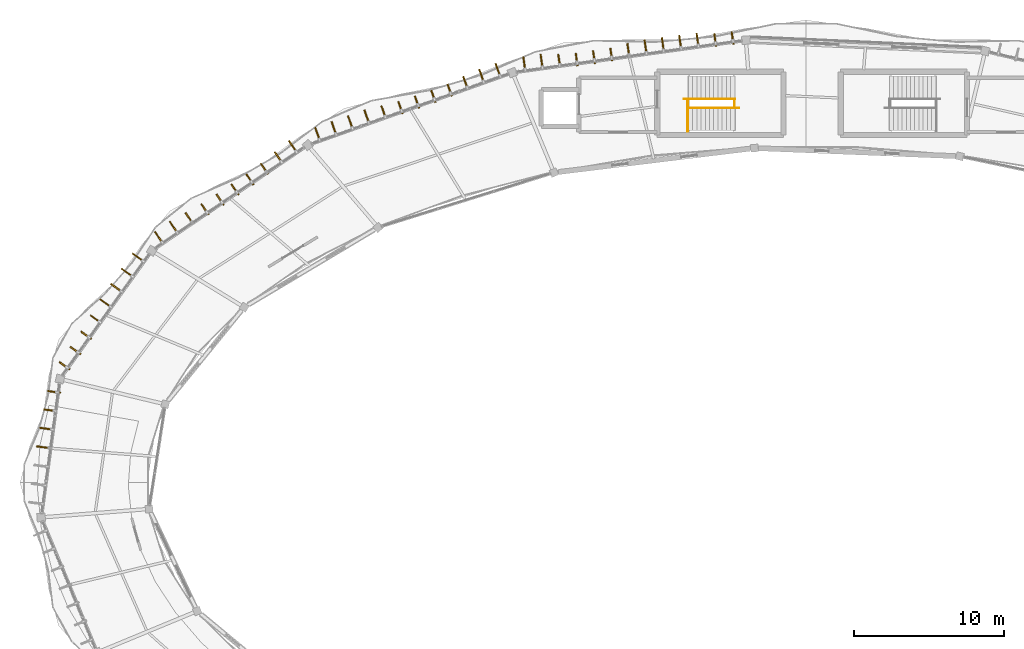
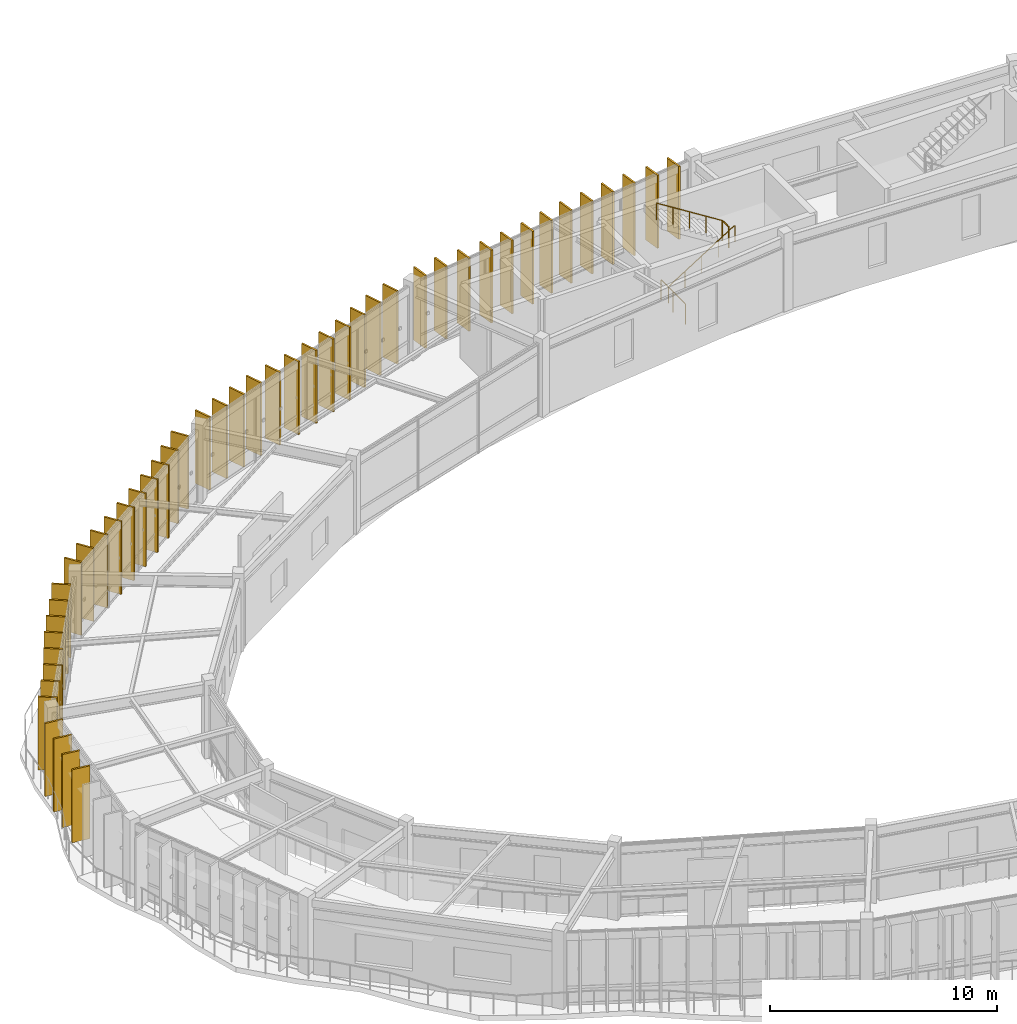
# One storey, part 77 of 79: 47 shading devices, 4 railings.
"""IFC4 building model written with IfcOpenShell, lengths in metres."""

from ifc_helpers import new_model, si_unit, direction, frame, origin, origin_2d, place, context, subcontext, project, spatial, rectangle, circle, extrude, material, type_object, element, save


model = new_model("IFC4")

# Units and contexts
model_context = context("Model", 3, precision=1e-05, world=origin(), true_north=direction((0.0, 1.0)))
body_context = subcontext(model_context, "Body", "Model", "MODEL_VIEW")
ifc_project = project(units=[si_unit("LENGTHUNIT", "METRE"), si_unit("AREAUNIT", "SQUARE_METRE"), si_unit("VOLUMEUNIT", "CUBIC_METRE"), si_unit("PLANEANGLEUNIT", "RADIAN"), si_unit("MASSUNIT", "GRAM", prefix="KILO"), si_unit("THERMODYNAMICTEMPERATUREUNIT", "KELVIN"), si_unit("POWERUNIT", "WATT")], contexts=[model_context])

# Site, building, storey
site_placement = place(None, origin())
site = spatial("IfcSite", under=ifc_project, at=site_placement, CompositionType="ELEMENT")
building_placement = place(site_placement, origin())
building = spatial("IfcBuilding", under=site, at=building_placement, Name="Darbajah Civic Hall", CompositionType="ELEMENT")
storey_placement = place(building_placement, frame((0.0, 0.0, 22.199951171875)))
storey = spatial("IfcBuildingStorey", under=building, at=storey_placement, Name="L05", CompositionType="ELEMENT", Elevation=22.199951171875)

# Railings
ifc_material_1 = material(Name="Brushed Bronze Stainless Steel", Category="steel")
railing_type_1 = type_object("IfcRailingType", Name="Brushed Bronze Handrail", PredefinedType="HANDRAIL", material=ifc_material_1)
railing_1_placement = place(storey_placement, frame((81.280029296875, 114.699951171875, 0.175048828125)))
element("IfcRailing", 1, at=railing_1_placement, inside=storey, type_object=railing_type_1, Name="ST01 L05 lower flight handrail", PredefinedType="HANDRAIL", context=body_context, shape_type="SweptSolid", body=[
    extrude(circle(Radius=0.02392578125, at=origin_2d()), frame((0.023193359375, 0.0, 0.910400390625), z_axis=(0.845926808262, 0.0, 0.533299010935), x_axis=(0.0, 1.0, 0.0)), (0.0, 0.0, 1.0), 3.917236328125),
    extrude(circle(Radius=0.02099609375, at=origin_2d()), origin(), (0.0, 0.0, 1.0), 0.867919921875),
    extrude(circle(Radius=0.02099609375, at=origin_2d()), frame((0.83984375, 0.0, 0.529541015625)), (0.0, 0.0, 1.0), 0.867919921875),
    extrude(circle(Radius=0.02099609375, at=origin_2d()), frame((1.679931640625, 0.0, 1.05908203125)), (0.0, 0.0, 1.0), 0.867919921875),
    extrude(circle(Radius=0.02099609375, at=origin_2d()), frame((2.52001953125, 0.0, 1.588623046875)), (0.0, 0.0, 1.0), 0.867919921875),
    extrude(circle(Radius=0.02099609375, at=origin_2d()), frame((3.35986328125, 0.0, 2.1181640625)), (0.0, 0.0, 1.0), 0.867919921875),
])
railing_2_placement = place(storey_placement, frame((84.360107421875, 115.300048828125, 2.275146484375)))
element("IfcRailing", 2, at=railing_2_placement, inside=storey, type_object=railing_type_1, Name="ST01 L05 upper flight handrail", PredefinedType="HANDRAIL", context=body_context, shape_type="SweptSolid", body=[
    extrude(circle(Radius=0.02392578125, at=origin_2d()), frame((-0.023193359375, 0.0, 0.910400390625), z_axis=(-0.845972016735, 0.0, 0.533227293844), x_axis=(0.0, -1.0, 0.0)), (0.0, 0.0, 1.0), 3.917236328125),
    extrude(circle(Radius=0.02099609375, at=origin_2d()), origin(), (0.0, 0.0, 1.0), 0.867919921875),
    extrude(circle(Radius=0.02099609375, at=origin_2d()), frame((-0.840087890625, 0.0, 0.529541015625)), (0.0, 0.0, 1.0), 0.867919921875),
    extrude(circle(Radius=0.02099609375, at=origin_2d()), frame((-1.68017578125, 0.0, 1.05908203125)), (0.0, 0.0, 1.0), 0.867919921875),
    extrude(circle(Radius=0.02099609375, at=origin_2d()), frame((-2.52001953125, 0.0, 1.58837890625)), (0.0, 0.0, 1.0), 0.867919921875),
    extrude(circle(Radius=0.02099609375, at=origin_2d()), frame((-3.360107421875, 0.0, 2.117919921875)), (0.0, 0.0, 1.0), 0.867919921875),
])
ifc_material_2 = material(Name="Brushed Bronze and Laminated Safety Glass", Category="glass")
railing_type_2 = type_object("IfcRailingType", Name="Interior Guard Balustrade", PredefinedType="BALUSTRADE", material=ifc_material_2)
railing_3_placement = place(storey_placement, frame((81.22998046875, 113.14990234375, 0.0)))
element("IfcRailing", 3, at=railing_3_placement, inside=storey, type_object=railing_type_2, Name="ST01 L05 stair-well edge guard", PredefinedType="BALUSTRADE", context=body_context, shape_type="SweptSolid", body=[
    extrude(circle(Radius=0.02392578125, at=origin_2d()), frame((0.0, 0.02734375, 1.09619140625), z_axis=(0.0, 1.0, 0.0), x_axis=(-1.0, 0.0, 0.0)), (0.0, 0.0, 1.0), 2.095458984375),
    extrude(circle(Radius=0.02099609375, at=origin_2d()), origin(), (0.0, 0.0, 1.0), 1.068115234375),
    extrude(circle(Radius=0.02099609375, at=origin_2d()), frame((0.0, 1.0751953125, 0.0)), (0.0, 0.0, 1.0), 1.068115234375),
    extrude(circle(Radius=0.02099609375, at=origin_2d()), frame((0.0, 2.150146484375, 0.0)), (0.0, 0.0, 1.0), 1.068115234375),
])
railing_4_placement = place(storey_placement, frame((84.340087890625, 114.699951171875, 2.10009765625)))
element("IfcRailing", 4, at=railing_4_placement, inside=storey, type_object=railing_type_2, Name="ST01 L05 landing well guard", PredefinedType="BALUSTRADE", context=body_context, shape_type="SweptSolid", body=[
    extrude(circle(Radius=0.02392578125, at=origin_2d()), frame((0.0, 0.02734375, 1.09619140625), z_axis=(0.0, 1.0, 0.0), x_axis=(-1.0, 0.0, 0.0)), (0.0, 0.0, 1.0), 0.54541015625),
    extrude(circle(Radius=0.02099609375, at=origin_2d()), origin(), (0.0, 0.0, 1.0), 1.068115234375),
    extrude(circle(Radius=0.02099609375, at=origin_2d()), frame((0.0, 0.60009765625, 0.0)), (0.0, 0.0, 1.0), 1.068115234375),
])

# Shading devices
ifc_material_3 = material(Name="Bronze Anodised Aluminium and Teak Composite", Category="aluminium")
shading_device_type = type_object("IfcShadingDeviceType", Name="Vertical Bronze Timber Shading Fin", PredefinedType="USERDEFINED", material=ifc_material_3)
for number, where, z_axis, x_axis, name in (
    (5, (84.212158203125, 119.353515625, 0.0), (0.0, 0.0, 1.0), (-0.137617420457, 0.990485459553, 0.0), "L05 vertical shading fin VF-05-1"),
    (6, (83.05615234375, 119.22705078125, 0.0), (0.0, 0.0, 1.0), (-0.137617420457, 0.990485459553, 0.0), "L05 vertical shading fin VF-05-2"),
    (7, (81.88134765625, 119.237060546875, 0.0), (0.0, 0.0, 1.0), (-0.137617420457, 0.990485459553, 0.0), "L05 vertical shading fin VF-05-3"),
    (8, (80.723876953125, 119.12158203125, 0.0), (0.0, 0.0, 1.0), (-0.137617420457, 0.990485459553, 0.0), "L05 vertical shading fin VF-05-4"),
    (9, (79.572509765625, 118.961669921875, 0.0), (0.0, 0.0, 1.0), (-0.137617420457, 0.990485459553, 0.0), "L05 vertical shading fin VF-05-5"),
    (10, (78.42138671875, 118.8017578125, 0.0), (0.0, 0.0, 1.0), (-0.137617420457, 0.990485459553, 0.0), "L05 vertical shading fin VF-05-6"),
    (11, (77.28076171875, 118.564208984375, 0.0), (0.0, 0.0, 1.0), (-0.137617420457, 0.990485459553, 0.0), "L05 vertical shading fin VF-05-7"),
    (12, (76.15087890625, 118.251220703125, 0.0), (0.0, 0.0, 1.0), (-0.137617420457, 0.990485459553, 0.0), "L05 vertical shading fin VF-05-8"),
    (13, (75.001708984375, 118.074462890625, 0.0), (0.0, 0.0, 1.0), (-0.137617420457, 0.990485459553, 0.0), "L05 vertical shading fin VF-05-9"),
    (14, (73.8505859375, 117.91455078125, 0.0), (0.0, 0.0, 1.0), (-0.137617420457, 0.990485459553, 0.0), "L05 vertical shading fin VF-05-10"),
    (15, (72.685302734375, 117.85498046875, 0.0), (0.0, 0.0, 1.0), (-0.137617420457, 0.990485459553, 0.0), "L05 vertical shading fin VF-05-11"),
    (16, (71.513671875, 117.84228515625, 0.0), (0.0, 0.0, 1.0), (-0.137617420457, 0.990485459553, 0.0), "L05 vertical shading fin VF-05-12"),
    (17, (70.3623046875, 117.6826171875, 0.0), (0.0, 0.0, 1.0), (-0.137617420457, 0.990485459553, 0.0), "L05 vertical shading fin VF-05-13"),
    (18, (68.604736328125, 117.254150390625, 0.0), (0.0, 0.0, 1.0), (-0.334135882844, 0.94252491309, 0.0), "L05 vertical shading fin VF-06-1"),
    (19, (67.5146484375, 116.86767578125, 0.0), (0.0, 0.0, 1.0), (-0.334135882844, 0.94252491309, 0.0), "L05 vertical shading fin VF-06-2"),
    (20, (66.453857421875, 116.39794921875, 0.0), (0.0, 0.0, 1.0), (-0.334135882844, 0.94252491309, 0.0), "L05 vertical shading fin VF-06-3"),
    (21, (65.407958984375, 115.88623046875, 0.0), (0.0, 0.0, 1.0), (-0.334135882844, 0.94252491309, 0.0), "L05 vertical shading fin VF-06-4"),
    (22, (64.327392578125, 115.47265625, 0.0), (0.0, 0.0, 1.0), (-0.334135882844, 0.94252491309, 0.0), "L05 vertical shading fin VF-06-5"),
    (23, (63.2373046875, 115.086181640625, 0.0), (0.0, 0.0, 1.0), (-0.334135882844, 0.94252491309, 0.0), "L05 vertical shading fin VF-06-6"),
    (24, (62.139404296875, 114.720703125, 0.0), (0.0, 0.0, 1.0), (-0.334135882844, 0.94252491309, 0.0), "L05 vertical shading fin VF-06-7"),
    (25, (61.0107421875, 114.443115234375, 0.0), (0.0, 0.0, 1.0), (-0.334135882844, 0.94252491309, 0.0), "L05 vertical shading fin VF-06-8"),
    (26, (59.883056640625, 114.16259765625, 0.0), (0.0, 0.0, 1.0), (-0.334135882844, 0.94252491309, 0.0), "L05 vertical shading fin VF-06-9"),
    (27, (58.792724609375, 113.77587890625, 0.0), (0.0, 0.0, 1.0), (-0.334135882844, 0.94252491309, 0.0), "L05 vertical shading fin VF-06-10"),
    (28, (57.702392578125, 113.3896484375, 0.0), (0.0, 0.0, 1.0), (-0.334135882844, 0.94252491309, 0.0), "L05 vertical shading fin VF-06-11"),
    (29, (56.6123046875, 113.003173828125, 0.0), (0.0, 0.0, 1.0), (-0.334135882844, 0.94252491309, 0.0), "L05 vertical shading fin VF-06-12"),
    (30, (54.96484375, 112.167724609375, 0.0), (0.0, 0.0, 1.0), (-0.560783509816, 0.827962472047, 0.0), "L05 vertical shading fin VF-07-1"),
    (31, (54.020751953125, 111.4287109375, 0.0), (0.0, 0.0, 1.0), (-0.560783509816, 0.827962472047, 0.0), "L05 vertical shading fin VF-07-2"),
    (32, (53.095703125, 110.661376953125, 0.0), (0.0, 0.0, 1.0), (-0.560783509816, 0.827962472047, 0.0), "L05 vertical shading fin VF-07-3"),
    (33, (52.1337890625, 109.948486328125, 0.0), (0.0, 0.0, 1.0), (-0.560783509816, 0.827962472047, 0.0), "L05 vertical shading fin VF-07-4"),
    (34, (51.143310546875, 109.277587890625, 0.0), (0.0, 0.0, 1.0), (-0.560783509816, 0.827962472047, 0.0), "L05 vertical shading fin VF-07-5"),
    (35, (50.15283203125, 108.60693359375, 0.0), (0.0, 0.0, 1.0), (-0.560783509816, 0.827962472047, 0.0), "L05 vertical shading fin VF-07-6"),
    (36, (49.139404296875, 107.97021484375, 0.0), (0.0, 0.0, 1.0), (-0.560783509816, 0.827962472047, 0.0), "L05 vertical shading fin VF-07-7"),
    (37, (48.09326171875, 107.381591796875, 0.0), (0.0, 0.0, 1.0), (-0.560783509816, 0.827962472047, 0.0), "L05 vertical shading fin VF-07-8"),
    (38, (47.044921875, 106.79638671875, 0.0), (0.0, 0.0, 1.0), (-0.560783509816, 0.827962472047, 0.0), "L05 vertical shading fin VF-07-9"),
    (39, (46.051025390625, 106.130859375, 0.0), (0.0, 0.0, 1.0), (-0.560783509816, 0.827962472047, 0.0), "L05 vertical shading fin VF-07-10"),
    (40, (44.673828125, 104.783447265625, 0.0), (0.0, 0.0, 1.0), (-0.812999149039, 0.582264874145, 0.0), "L05 vertical shading fin VF-08-1"),
    (41, (43.950927734375, 103.77392578125, 0.0), (0.0, 0.0, 1.0), (-0.812999149039, 0.582264874145, 0.0), "L05 vertical shading fin VF-08-2"),
    (42, (43.22802734375, 102.764404296875, 0.0), (0.0, 0.0, 1.0), (-0.812999149039, 0.582264874145, 0.0), "L05 vertical shading fin VF-08-3"),
    (43, (42.522216796875, 101.742431640625, 0.0), (0.0, 0.0, 1.0), (-0.812999149039, 0.582264874145, 0.0), "L05 vertical shading fin VF-08-4"),
    (44, (41.889892578125, 100.668212890625, 0.0), (0.0, 0.0, 1.0), (-0.812999149039, 0.582264874145, 0.0), "L05 vertical shading fin VF-08-5"),
    (45, (41.245361328125, 99.602294921875, 0.0), (0.0, 0.0, 1.0), (-0.812999149039, 0.582264874145, 0.0), "L05 vertical shading fin VF-08-6"),
    (46, (40.539306640625, 98.58056640625, 0.0), (0.0, 0.0, 1.0), (-0.812999149039, 0.582264874145, 0.0), "L05 vertical shading fin VF-08-7"),
    (47, (39.81640625, 97.57080078125, 0.0), (0.0, 0.0, 1.0), (-0.812999149039, 0.582264874145, 0.0), "L05 vertical shading fin VF-08-8"),
    (48, (39.122802734375, 95.830078125, 0.0), (0.0, 0.0, 1.0), (-0.990865897387, 0.134850930274, 0.0), "L05 vertical shading fin VF-09-1"),
    (49, (38.85888671875, 94.607177734375, 0.0), (0.0, 0.0, 1.0), (-0.990865897387, 0.134850930274, 0.0), "L05 vertical shading fin VF-09-2"),
    (50, (38.5771484375, 93.38671875, 0.0), (0.0, 0.0, 1.0), (-0.990865897387, 0.134850930274, 0.0), "L05 vertical shading fin VF-09-3"),
    (51, (38.372802734375, 92.155517578125, 0.0), (0.0, 0.0, 1.0), (-0.990865897387, 0.134850930274, 0.0), "L05 vertical shading fin VF-09-4"),
):
    element("IfcShadingDevice", number, at=place(storey_placement, frame(where, z_axis=z_axis, x_axis=x_axis)), inside=storey, type_object=shading_device_type, Name=name, ObjectType="VERTICAL FIN", PredefinedType="USERDEFINED", context=body_context, shape_type="SweptSolid", body=[
        extrude(rectangle(XDim=0.85009765625, YDim=0.090087890625, at=origin_2d()), origin(), (0.0, 0.0, 1.0), 3.919921875),
    ])

save(model, "model.ifc")
